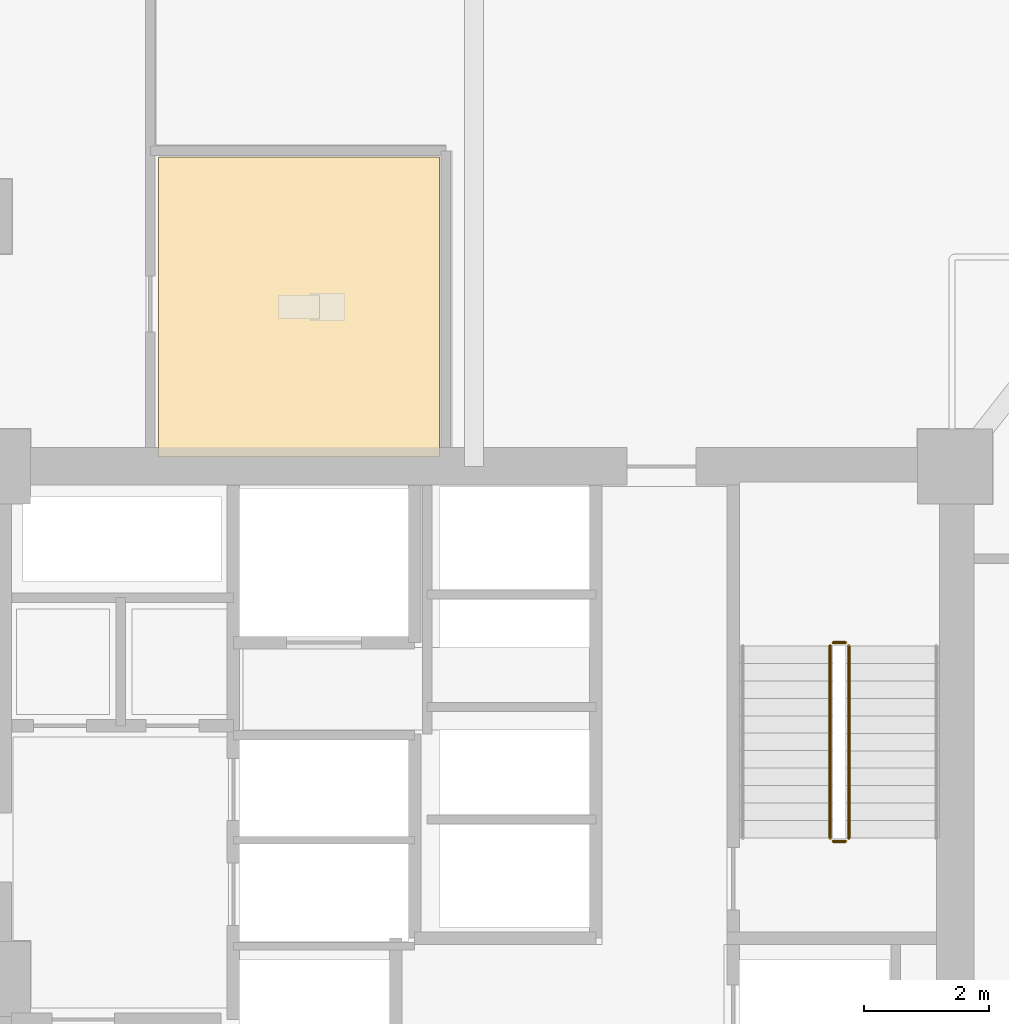
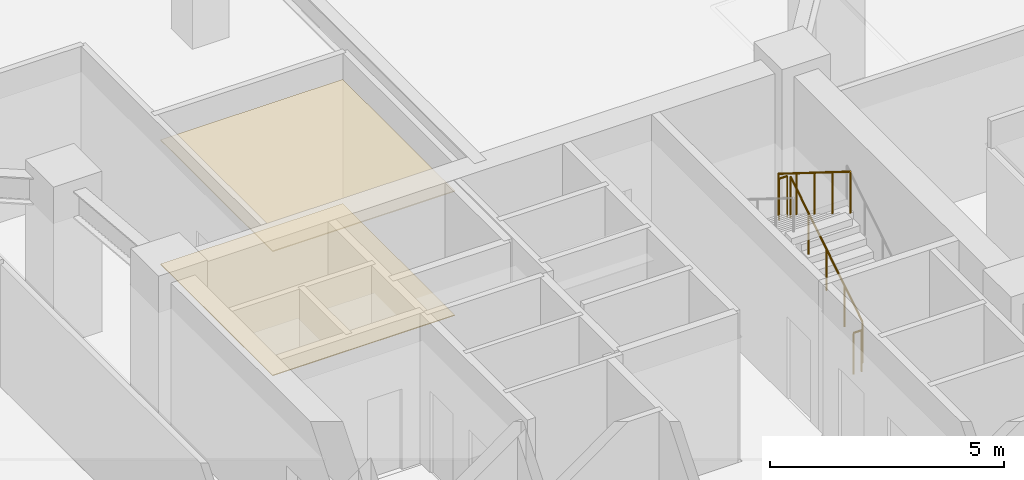
# One storey, part 18 of 21: 4 railings, 2 coverings.
"""IFC4 building model written with IfcOpenShell, lengths in metres."""

from ifc_helpers import new_model, si_unit, direction, frame, origin, origin_2d, place, context, subcontext, project, spatial, polyline, circle, outline, extrude, material, layer, layer_set, type_object, element, save


model = new_model("IFC4")

# Units and contexts
model_context = context("Model", 3, precision=1e-05, world=origin(), true_north=direction((0.0, 1.0)))
body_context = subcontext(model_context, "Body", "Model", "MODEL_VIEW")
ifc_project = project(units=[si_unit("LENGTHUNIT", "METRE"), si_unit("AREAUNIT", "SQUARE_METRE"), si_unit("VOLUMEUNIT", "CUBIC_METRE"), si_unit("PLANEANGLEUNIT", "RADIAN"), si_unit("MASSUNIT", "GRAM", prefix="KILO")], contexts=[model_context])

# Site, building, storey
site_placement = place(None, origin())
site = spatial("IfcSite", under=ifc_project, at=site_placement, CompositionType="ELEMENT")
building_placement = place(site_placement, origin())
building = spatial("IfcBuilding", under=site, at=building_placement, Name="Savorim Split Tower", CompositionType="ELEMENT")
storey_placement = place(building_placement, frame((0.0, 0.0, 5.0)))
storey = spatial("IfcBuildingStorey", under=building, at=storey_placement, Name="L01", CompositionType="ELEMENT", Elevation=5.0)

# Coverings
ifc_material_1 = material(Name="Mineral Fibre Acoustic Ceiling")
ifc_layer_1 = layer(ifc_material_1, 0.02490234375)
ifc_layer_set_1 = layer_set([ifc_layer_1], Name="COV-CEIL-25")
covering_type_1 = type_object("IfcCoveringType", Name="COV-CEIL-25", PredefinedType="CEILING", material=ifc_layer_set_1)
covering_1_placement = place(storey_placement, frame((0.0, 0.0, 3.239990234375)))
element("IfcCovering", 1, at=covering_1_placement, inside=storey, type_object=covering_type_1, Name="L01 Public WC Acoustic Ceiling", PredefinedType="CEILING", context=body_context, shape_type="SweptSolid", body=[
    extrude(outline(polyline([(-5.050048828125, 15.14990234375), (-5.050048828125, 10.35009765625), (-0.550048828125, 10.35009765625), (-0.550048828125, 15.14990234375), (-5.050048828125, 15.14990234375)])), origin(), (0.0, 0.0, 1.0), 0.02490234375),
])
ifc_material_2 = material(Name="Porcelain Stoneware Flooring", Category="masonry")
ifc_layer_2 = layer(ifc_material_2, 0.02001953125)
ifc_layer_set_2 = layer_set([ifc_layer_2], Name="COV-FLOR-20")
covering_type_2 = type_object("IfcCoveringType", Name="COV-FLOR-20", PredefinedType="FLOORING", material=ifc_layer_set_2)
covering_2_placement = place(storey_placement, origin())
element("IfcCovering", 2, at=covering_2_placement, inside=storey, type_object=covering_type_2, Name="L01 Public WC Porcelain Flooring", PredefinedType="FLOORING", context=body_context, shape_type="SweptSolid", body=[
    extrude(outline(polyline([(-5.050048828125, 15.14990234375), (-5.050048828125, 10.35009765625), (-0.550048828125, 10.35009765625), (-0.550048828125, 15.14990234375), (-5.050048828125, 15.14990234375)])), origin(), (0.0, 0.0, 1.0), 0.02001953125),
])

# Railings
ifc_material_3 = material(Name="Galvanised Painted Steel Balustrade", Category="steel")
railing_type = type_object("IfcRailingType", Name="RLG-STG-1100", PredefinedType="BALUSTRADE", material=ifc_material_3)
railing_1_placement = place(storey_placement, frame((6.0, 4.25, 0.175048828125)))
element("IfcRailing", 3, at=railing_1_placement, inside=storey, type_object=railing_type, Name="L01 ST-2 stair guard 1", PredefinedType="BALUSTRADE", context=body_context, shape_type="SweptSolid", body=[
    extrude(circle(Radius=0.02392578125, at=origin_2d()), frame((0.0, 0.0, 1.076171875), z_axis=(0.0, 0.847998304005, 0.529998940003), x_axis=(-1.0, 0.0, 0.0)), (0.0, 0.0, 1.0), 3.632080078125),
    extrude(circle(Radius=0.02099609375, at=origin_2d()), origin(), (0.0, 0.0, 1.0), 1.052001953125),
    extrude(circle(Radius=0.02099609375, at=origin_2d()), frame((0.0, 0.77001953125, 0.481201171875)), (0.0, 0.0, 1.0), 1.052001953125),
    extrude(circle(Radius=0.02099609375, at=origin_2d()), frame((0.0, 1.5400390625, 0.96240234375)), (0.0, 0.0, 1.0), 1.052001953125),
    extrude(circle(Radius=0.02099609375, at=origin_2d()), frame((0.0, 2.31005859375, 1.44384765625)), (0.0, 0.0, 1.0), 1.052001953125),
    extrude(circle(Radius=0.02099609375, at=origin_2d()), frame((0.0, 3.080078125, 1.925048828125)), (0.0, 0.0, 1.0), 1.052001953125),
])
railing_2_placement = place(storey_placement, frame((5.949951171875, 7.3798828125, 2.10009765625)))
element("IfcRailing", 4, at=railing_2_placement, inside=storey, type_object=railing_type, Name="L01 ST-2 stair guard 2", PredefinedType="BALUSTRADE", context=body_context, shape_type="SweptSolid", body=[
    extrude(circle(Radius=0.02392578125, at=origin_2d()), frame((0.0, 0.0, 1.076171875), z_axis=(-1.0, 0.0, 0.0), x_axis=(0.0, -1.0, 0.0)), (0.0, 0.0, 1.0), 0.199951171875),
    extrude(circle(Radius=0.02099609375, at=origin_2d()), origin(), (0.0, 0.0, 1.0), 1.052001953125),
    extrude(circle(Radius=0.02099609375, at=origin_2d()), frame((-0.199951171875, 0.0, 0.0)), (0.0, 0.0, 1.0), 1.052001953125),
])
railing_3_placement = place(storey_placement, frame((5.699951171875, 7.330078125, 2.27490234375)))
element("IfcRailing", 5, at=railing_3_placement, inside=storey, type_object=railing_type, Name="L01 ST-2 stair guard 3", PredefinedType="BALUSTRADE", context=body_context, shape_type="SweptSolid", body=[
    extrude(circle(Radius=0.02392578125, at=origin_2d()), frame((0.0, 0.0, 1.076171875), z_axis=(0.0, -0.847998304005, 0.529998940003), x_axis=(1.0, 0.0, 0.0)), (0.0, 0.0, 1.0), 3.632080078125),
    extrude(circle(Radius=0.02099609375, at=origin_2d()), origin(), (0.0, 0.0, 1.0), 1.052001953125),
    extrude(circle(Radius=0.02099609375, at=origin_2d()), frame((0.0, -0.77001953125, 0.481201171875)), (0.0, 0.0, 1.0), 1.052001953125),
    extrude(circle(Radius=0.02099609375, at=origin_2d()), frame((0.0, -1.5400390625, 0.96240234375)), (0.0, 0.0, 1.0), 1.052001953125),
    extrude(circle(Radius=0.02099609375, at=origin_2d()), frame((0.0, -2.31005859375, 1.44384765625)), (0.0, 0.0, 1.0), 1.052001953125),
    extrude(circle(Radius=0.02099609375, at=origin_2d()), frame((0.0, -3.080078125, 1.925048828125)), (0.0, 0.0, 1.0), 1.052001953125),
])
railing_4_placement = place(storey_placement, frame((5.949951171875, 4.199951171875, 0.0)))
element("IfcRailing", 6, at=railing_4_placement, inside=storey, type_object=railing_type, Name="L01 ST-2 stair guard 4", PredefinedType="BALUSTRADE", context=body_context, shape_type="SweptSolid", body=[
    extrude(circle(Radius=0.02392578125, at=origin_2d()), frame((0.0, 0.0, 1.076171875), z_axis=(-1.0, 0.0, 0.0), x_axis=(0.0, -1.0, 0.0)), (0.0, 0.0, 1.0), 0.199951171875),
    extrude(circle(Radius=0.02099609375, at=origin_2d()), origin(), (0.0, 0.0, 1.0), 1.052001953125),
    extrude(circle(Radius=0.02099609375, at=origin_2d()), frame((-0.199951171875, 0.0, 0.0)), (0.0, 0.0, 1.0), 1.052001953125),
])

save(model, "model.ifc")
